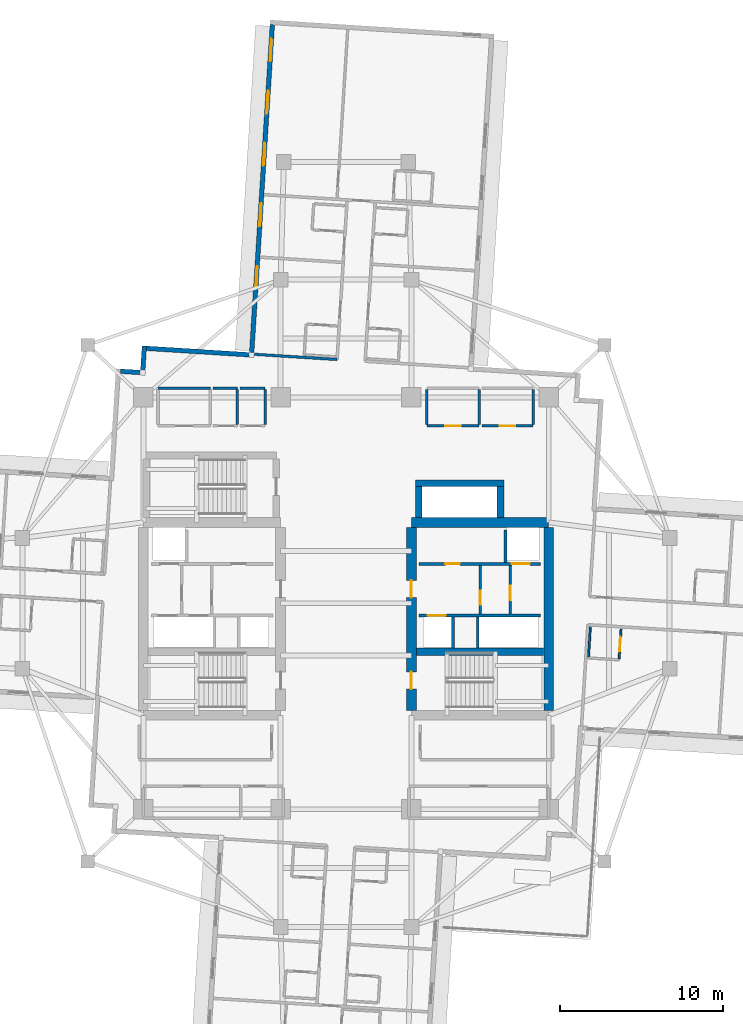
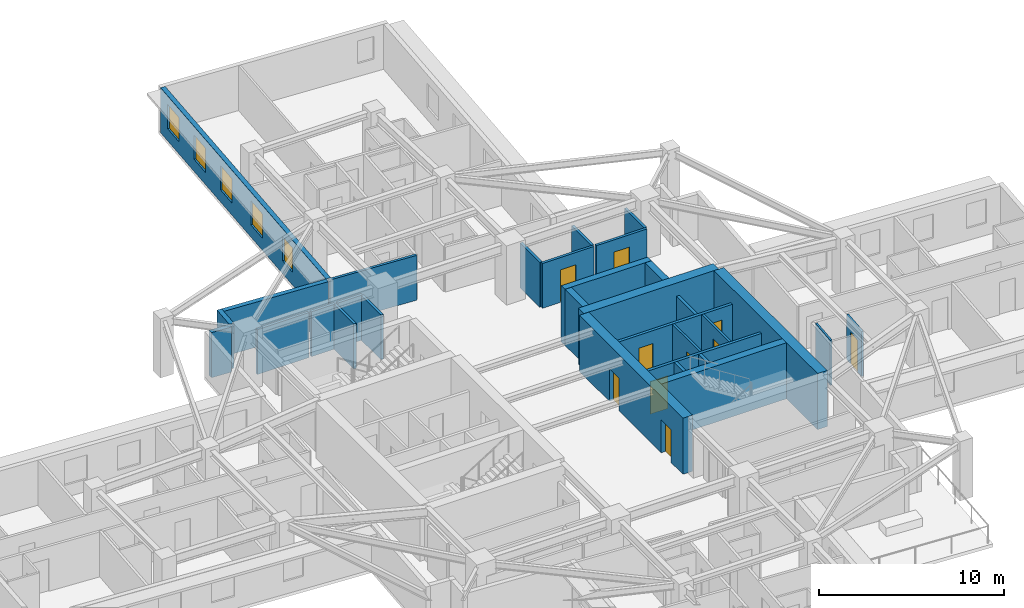
# One storey, part 7 of 14: 31 walls, 10 doors, 5 windows, 15 openings.
"""IFC4 building model written with IfcOpenShell, lengths in metres."""

from ifc_helpers import new_model, si_unit, direction, frame, frame_2d, origin, place, context, subcontext, project, spatial, rectangle, extrude, material, layer, layer_set, type_object, element, fill, save


model = new_model("IFC4")

# Units and contexts
model_context = context("Model", 3, precision=1e-05, world=origin(), true_north=direction((0.0, 1.0)))
body_context = subcontext(model_context, "Body", "Model", "MODEL_VIEW")
ifc_project = project(units=[si_unit("LENGTHUNIT", "METRE"), si_unit("AREAUNIT", "SQUARE_METRE"), si_unit("VOLUMEUNIT", "CUBIC_METRE"), si_unit("PLANEANGLEUNIT", "RADIAN"), si_unit("MASSUNIT", "GRAM", prefix="KILO")], contexts=[model_context])

# Site, building, storey
site_placement = place(None, origin())
site = spatial("IfcSite", under=ifc_project, at=site_placement, CompositionType="ELEMENT")
building_placement = place(site_placement, origin())
building = spatial("IfcBuilding", under=site, at=building_placement, Name="Qingluan Cross Belvedere", CompositionType="ELEMENT")
storey_placement = place(building_placement, frame((0.0, 0.0, 168.300048828125)))
storey = spatial("IfcBuildingStorey", under=building, at=storey_placement, Name="L42", CompositionType="ELEMENT", Elevation=168.300048828125)

# Walls
ifc_material_1 = material(Name="Concrete C50", Category="concrete")
ifc_layer_1 = layer(ifc_material_1, 0.449951171875, Name="CoreShearWall_450")
ifc_layer_set_1 = layer_set([ifc_layer_1], Name="Concrete C50")
wall_type_1 = type_object("IfcWallType", Name="CoreShearWall_450", PredefinedType="SHEAR", material=ifc_layer_set_1)
wall_1_placement = place(storey_placement, frame((4.304931640625, -2.9599609375, 0.0), z_axis=(0.0, 0.0, 1.0), x_axis=(1.0, 0.0, 0.0)))
element("IfcWall", 1, at=wall_1_placement, inside=storey, type_object=wall_type_1, Name="Split core E shear wall L42-M", PredefinedType="SHEAR", context=body_context, shape_type="SweptSolid", body=[
    extrude(rectangle(XDim=7.7900390625, YDim=0.449951171875, at=frame_2d((3.89501953125, 0.0))), origin(), (0.0, 0.0, 1.0), 3.699951171875),
])
wall_2_placement = place(storey_placement, frame((4.449951171875, 5.2548828125, 0.0), z_axis=(0.0, 0.0, 1.0), x_axis=(0.0, 1.0, 0.0)))
element("IfcWall", 2, at=wall_2_placement, inside=storey, type_object=wall_type_1, Name="Express shuttle core wall L42-W", PredefinedType="SHEAR", context=body_context, shape_type="SweptSolid", body=[
    extrude(rectangle(XDim=1.885009765625, YDim=0.39990234375, at=frame_2d((0.9423828125, 0.0))), origin(), (0.0, 0.0, 1.0), 3.699951171875),
])
wall_3_placement = place(storey_placement, frame((4.25, 7.35009765625, 0.0), z_axis=(0.0, 0.0, 1.0), x_axis=(1.0, 0.0, 0.0)))
element("IfcWall", 3, at=wall_3_placement, inside=storey, type_object=wall_type_1, Name="Express shuttle core wall L42-N", PredefinedType="SHEAR", context=body_context, shape_type="SweptSolid", body=[
    extrude(rectangle(XDim=5.39990234375, YDim=0.39990234375, at=frame_2d((2.699951171875, 0.0))), origin(), (0.0, 0.0, 1.0), 3.699951171875),
])
wall_4_placement = place(storey_placement, frame((9.449951171875, 5.2548828125, 0.0), z_axis=(0.0, 0.0, 1.0), x_axis=(0.0, 1.0, 0.0)))
element("IfcWall", 4, at=wall_4_placement, inside=storey, type_object=wall_type_1, Name="Express shuttle core wall L42-E", PredefinedType="SHEAR", context=body_context, shape_type="SweptSolid", body=[
    extrude(rectangle(XDim=1.885009765625, YDim=0.39990234375, at=frame_2d((0.9423828125, 0.0))), origin(), (0.0, 0.0, 1.0), 3.699951171875),
])
ifc_material_2 = material(Name="Concrete C60", Category="concrete")
ifc_layer_2 = layer(ifc_material_2, 0.60009765625, Name="CoreShearWall_600")
ifc_layer_set_2 = layer_set([ifc_layer_2], Name="Concrete C60")
wall_type_2 = type_object("IfcWallType", Name="CoreShearWall_600", PredefinedType="SHEAR", material=ifc_layer_set_2)
wall_5_placement = place(storey_placement, frame((4.0, 4.949951171875, 0.0), z_axis=(0.0, 0.0, 1.0), x_axis=(1.0, 0.0, 0.0)))
element("IfcWall", 5, at=wall_5_placement, inside=storey, type_object=wall_type_2, Name="Split core E shear wall L42-N", PredefinedType="SHEAR", context=body_context, shape_type="SweptSolid", body=[
    extrude(rectangle(XDim=8.39990234375, YDim=0.60009765625, at=frame_2d((4.199951171875, 0.0))), origin(), (0.0, 0.0, 1.0), 3.699951171875),
])

# Wall, openings, doors
wall_6_placement = place(storey_placement, frame((4.0, -6.544921875, 0.0), z_axis=(0.0, 0.0, 1.0), x_axis=(0.0, 1.0, 0.0)))
wall_6 = element("IfcWall", 6, at=wall_6_placement, inside=storey, type_object=wall_type_2, Name="Split core E shear wall L42-W", PredefinedType="SHEAR", context=body_context, shape_type="SweptSolid", body=[
    extrude(rectangle(XDim=11.18994140625, YDim=0.60009765625, at=frame_2d((5.594970703125, 0.0))), origin(), (0.0, 0.0, 1.0), 3.699951171875),
])
opening_1_placement = place(wall_6_placement, frame((1.294921875, 0.0, 0.0)))
opening_1 = element("IfcOpeningElement", 7, at=opening_1_placement, cuts=wall_6, Name="Opening FD-B11", PredefinedType="OPENING", context=body_context, shape_type="SweptSolid", body=[
    extrude(rectangle(XDim=1.050048828125, YDim=2.14990234375, at=frame_2d((0.52490234375, 1.074951171875))), frame((0.0, 0.31005859375, 0.0), z_axis=(0.0, -1.0, 0.0), x_axis=(1.0, 0.0, 0.0)), (0.0, 0.0, 1.0), 0.6201171875),
])
opening_2_placement = place(wall_6_placement, frame((6.89501953125, 0.0, 0.0)))
opening_2 = element("IfcOpeningElement", 8, at=opening_2_placement, cuts=wall_6, Name="Opening FD-B11", PredefinedType="OPENING", context=body_context, shape_type="SweptSolid", body=[
    extrude(rectangle(XDim=1.050048828125, YDim=2.14990234375, at=frame_2d((0.52490234375, 1.074951171875))), frame((0.0, 0.31005859375, 0.0), z_axis=(0.0, -1.0, 0.0), x_axis=(1.0, 0.0, 0.0)), (0.0, 0.0, 1.0), 0.6201171875),
])
ifc_material_3 = material(Name="Steel Class B smoke-seal fire door", Category="steel")
door_type_1 = type_object("IfcDoorType", Name="StairLobbyFireDoor_FDB", OperationType="NOTDEFINED", PredefinedType="DOOR", material=ifc_material_3)
door_1_placement = place(opening_1_placement, origin())
door_1 = element("IfcDoor", 9, at=door_1_placement, inside=storey, type_object=door_type_1, Name="Smoke-proof stair ST2 fire door L42", OperationType="SINGLE_SWING_LEFT", OverallHeight=2.14990234375, OverallWidth=1.050048828125, PredefinedType="DOOR", context=body_context, shape_type="SweptSolid", body=[
    extrude(rectangle(XDim=1.050048828125, YDim=2.14990234375, at=frame_2d((0.52490234375, 1.074951171875))), frame((0.0, 0.02490234375, 0.0), z_axis=(0.0, -1.0, 0.0), x_axis=(1.0, 0.0, 0.0)), (0.0, 0.0, 1.0), 0.050048828125),
])
fill(opening_1, door_1)
door_2_placement = place(opening_2_placement, origin())
door_2 = element("IfcDoor", 10, at=door_2_placement, inside=storey, type_object=door_type_1, Name="Firefighting lobby East fire door L42", OperationType="SINGLE_SWING_LEFT", OverallHeight=2.14990234375, OverallWidth=1.050048828125, PredefinedType="DOOR", context=body_context, shape_type="SweptSolid", body=[
    extrude(rectangle(XDim=1.050048828125, YDim=2.14990234375, at=frame_2d((0.52490234375, 1.074951171875))), frame((0.0, 0.02490234375, 0.0), z_axis=(0.0, -1.0, 0.0), x_axis=(1.0, 0.0, 0.0)), (0.0, 0.0, 1.0), 0.050048828125),
])
fill(opening_2, door_2)

# Wall
wall_7_placement = place(storey_placement, frame((12.39990234375, -6.544921875, 0.0), z_axis=(0.0, 0.0, 1.0), x_axis=(0.0, 1.0, 0.0)))
element("IfcWall", 11, at=wall_7_placement, inside=storey, type_object=wall_type_2, Name="Split core E shear wall L42-E", PredefinedType="SHEAR", context=body_context, shape_type="SweptSolid", body=[
    extrude(rectangle(XDim=11.18994140625, YDim=0.60009765625, at=frame_2d((5.594970703125, 0.0))), origin(), (0.0, 0.0, 1.0), 3.699951171875),
])

# Wall, opening, door
ifc_material_4 = material(Name="Gypsum plasterboard on steel stud acoustic partition", Category="steel")
ifc_layer_3 = layer(ifc_material_4, 0.159912109375, Name="CorridorPartition_160")
ifc_layer_set_3 = layer_set([ifc_layer_3], Name="Gypsum plasterboard on steel stud acoustic partition")
wall_type_3 = type_object("IfcWallType", Name="CorridorPartition_160", PredefinedType="PARTITIONING", material=ifc_layer_set_3)
wall_8_placement = place(storey_placement, frame((10.050048828125, -0.652099609375, 0.0), z_axis=(0.0, 0.0, 1.0), x_axis=(0.0, 1.0, 0.0)))
wall_8 = element("IfcWall", 12, at=wall_8_placement, inside=storey, type_object=wall_type_3, Name="Partition L42:ev", PredefinedType="PARTITIONING", context=body_context, shape_type="SweptSolid", body=[
    extrude(rectangle(XDim=2.962158203125, YDim=0.139892578125, at=frame_2d((1.48095703125, 0.0))), origin(), (0.0, 0.0, 1.0), 2.9599609375),
])
opening_3_placement = place(wall_8_placement, frame((0.85009765625, 0.0, 0.0)))
opening_3 = element("IfcOpeningElement", 13, at=opening_3_placement, cuts=wall_8, Name="Opening FD-B10", PredefinedType="OPENING", context=body_context, shape_type="SweptSolid", body=[
    extrude(rectangle(XDim=0.8798828125, YDim=2.10009765625, at=frame_2d((0.43994140625, 1.050048828125))), frame((0.0, 0.079833984375, 0.0), z_axis=(0.0, -1.0, 0.0), x_axis=(1.0, 0.0, 0.0)), (0.0, 0.0, 1.0), 0.159912109375),
])
ifc_material_5 = material(Name="Steel Class B service fire door", Category="steel")
door_type_2 = type_object("IfcDoorType", Name="RiserServiceFireDoor_FDB", OperationType="NOTDEFINED", PredefinedType="DOOR", material=ifc_material_5)
door_3_placement = place(opening_3_placement, origin())
door_3 = element("IfcDoor", 14, at=door_3_placement, inside=storey, type_object=door_type_2, Name="Service closet inner door L42", OperationType="SINGLE_SWING_RIGHT", OverallHeight=2.10009765625, OverallWidth=0.8798828125, PredefinedType="DOOR", context=body_context, shape_type="SweptSolid", body=[
    extrude(rectangle(XDim=0.8798828125, YDim=2.10009765625, at=frame_2d((0.43994140625, 1.050048828125))), frame((0.0, 0.02490234375, 0.0), z_axis=(0.0, -1.0, 0.0), x_axis=(1.0, 0.0, 0.0)), (0.0, 0.0, 1.0), 0.050048828125),
])
fill(opening_3, door_3)

# Walls
wall_9_placement = place(storey_placement, frame((-11.5, 13.14990234375, 0.0), z_axis=(0.0, 0.0, 1.0), x_axis=(1.0, 0.0, 0.0)))
element("IfcWall", 15, at=wall_9_placement, inside=storey, type_object=wall_type_3, Name="Partition L42:q_nw_occ:N", PredefinedType="PARTITIONING", context=body_context, shape_type="SweptSolid", body=[
    extrude(rectangle(XDim=3.199951171875, YDim=0.159912109375, at=frame_2d((1.60009765625, 0.0))), origin(), (0.0, 0.0, 1.0), 2.9599609375),
])
wall_10_placement = place(storey_placement, frame((-8.139892578125, 13.14990234375, 0.0), z_axis=(0.0, 0.0, 1.0), x_axis=(1.0, 0.0, 0.0)))
element("IfcWall", 16, at=wall_10_placement, inside=storey, type_object=wall_type_3, Name="Partition L42:hk_linen:N", PredefinedType="PARTITIONING", context=body_context, shape_type="SweptSolid", body=[
    extrude(rectangle(XDim=1.489990234375, YDim=0.159912109375, at=frame_2d((0.7451171875, 0.0))), origin(), (0.0, 0.0, 1.0), 2.9599609375),
])
wall_11_placement = place(storey_placement, frame((-6.64990234375, 10.93505859375, 0.0), z_axis=(0.0, 0.0, 1.0), x_axis=(0.0, 1.0, 0.0)))
element("IfcWall", 17, at=wall_11_placement, inside=storey, type_object=wall_type_3, Name="Partition L42:hk_linen:E", PredefinedType="PARTITIONING", context=body_context, shape_type="SweptSolid", body=[
    extrude(rectangle(XDim=2.1298828125, YDim=0.159912109375, at=frame_2d((1.06494140625, 0.0))), origin(), (0.0, 0.0, 1.0), 2.9599609375),
])
wall_12_placement = place(storey_placement, frame((-6.489990234375, 13.14990234375, 0.0), z_axis=(0.0, 0.0, 1.0), x_axis=(1.0, 0.0, 0.0)))
element("IfcWall", 18, at=wall_12_placement, inside=storey, type_object=wall_type_3, Name="Partition L42:floor_acc_wc:N", PredefinedType="PARTITIONING", context=body_context, shape_type="SweptSolid", body=[
    extrude(rectangle(XDim=1.5400390625, YDim=0.159912109375, at=frame_2d((0.77001953125, 0.0))), origin(), (0.0, 0.0, 1.0), 2.9599609375),
])
wall_13_placement = place(storey_placement, frame((-4.949951171875, 10.93505859375, 0.0), z_axis=(0.0, 0.0, 1.0), x_axis=(0.0, 1.0, 0.0)))
element("IfcWall", 19, at=wall_13_placement, inside=storey, type_object=wall_type_3, Name="Partition L42:floor_acc_wc:E", PredefinedType="PARTITIONING", context=body_context, shape_type="SweptSolid", body=[
    extrude(rectangle(XDim=2.1298828125, YDim=0.159912109375, at=frame_2d((1.06494140625, 0.0))), origin(), (0.0, 0.0, 1.0), 2.9599609375),
])

# Wall, opening, door
wall_14_placement = place(storey_placement, frame((4.949951171875, 10.85009765625, 0.0), z_axis=(0.0, 0.0, 1.0), x_axis=(1.0, 0.0, 0.0)))
wall_14 = element("IfcWall", 20, at=wall_14_placement, inside=storey, type_object=wall_type_3, Name="Partition L42:q_ne1:S", PredefinedType="PARTITIONING", context=body_context, shape_type="SweptSolid", body=[
    extrude(rectangle(XDim=3.199951171875, YDim=0.159912109375, at=frame_2d((1.60009765625, 0.0))), origin(), (0.0, 0.0, 1.0), 2.9599609375),
])
opening_4_placement = place(wall_14_placement, frame((1.1201171875, 0.0, 0.0)))
opening_4 = element("IfcOpeningElement", 21, at=opening_4_placement, cuts=wall_14, Name="Opening GD-10", PredefinedType="OPENING", context=body_context, shape_type="SweptSolid", body=[
    extrude(rectangle(XDim=0.9599609375, YDim=2.14990234375, at=frame_2d((0.47998046875, 1.074951171875))), frame((0.0, 0.08984375, 0.0), z_axis=(0.0, -1.0, 0.0), x_axis=(1.0, 0.0, 0.0)), (0.0, 0.0, 1.0), 0.179931640625),
])
ifc_material_6 = material(Name="Timber oak fire-rated acoustic guestroom door", Category="wood")
door_type_3 = type_object("IfcDoorType", Name="GuestEntryDoor_FD60", OperationType="NOTDEFINED", PredefinedType="DOOR", material=ifc_material_6)
door_4_placement = place(opening_4_placement, origin())
door_4 = element("IfcDoor", 22, at=door_4_placement, inside=storey, type_object=door_type_3, Name="Meditation wellness hall L42 door", OperationType="SINGLE_SWING_LEFT", OverallHeight=2.14990234375, OverallWidth=0.9599609375, PredefinedType="DOOR", context=body_context, shape_type="SweptSolid", body=[
    extrude(rectangle(XDim=0.9599609375, YDim=2.14990234375, at=frame_2d((0.47998046875, 1.074951171875))), frame((0.0, 0.02490234375, 0.0), z_axis=(0.0, -1.0, 0.0), x_axis=(1.0, 0.0, 0.0)), (0.0, 0.0, 1.0), 0.050048828125),
])
fill(opening_4, door_4)

# Walls
for number, where, z_axis, x_axis, name in (
    (23, (4.949951171875, 10.93505859375, 0.0), (0.0, 0.0, 1.0), (0.0, 1.0, 0.0), "Partition L42:q_ne1:W"),
    (24, (8.14990234375, 10.93505859375, 0.0), (0.0, 0.0, 1.0), (0.0, 1.0, 0.0), "Partition L42:q_ne1:E"),
):
    element("IfcWall", number, at=place(storey_placement, frame(where, z_axis=z_axis, x_axis=x_axis)), inside=storey, type_object=wall_type_3, Name=name, PredefinedType="PARTITIONING", context=body_context, shape_type="SweptSolid", body=[
        extrude(rectangle(XDim=2.1298828125, YDim=0.159912109375, at=frame_2d((1.06494140625, 0.0))), origin(), (0.0, 0.0, 1.0), 2.9599609375),
    ])

# Wall, opening, door
wall_15_placement = place(storey_placement, frame((8.31005859375, 10.85009765625, 0.0), z_axis=(0.0, 0.0, 1.0), x_axis=(1.0, 0.0, 0.0)))
wall_15 = element("IfcWall", 25, at=wall_15_placement, inside=storey, type_object=wall_type_3, Name="Partition L42:q_ne2:S", PredefinedType="PARTITIONING", context=body_context, shape_type="SweptSolid", body=[
    extrude(rectangle(XDim=3.139892578125, YDim=0.159912109375, at=frame_2d((1.56982421875, 0.0))), origin(), (0.0, 0.0, 1.0), 2.9599609375),
])
opening_5_placement = place(wall_15_placement, frame((1.090087890625, 0.0, 0.0)))
opening_5 = element("IfcOpeningElement", 26, at=opening_5_placement, cuts=wall_15, Name="Opening GD-10", PredefinedType="OPENING", context=body_context, shape_type="SweptSolid", body=[
    extrude(rectangle(XDim=0.9599609375, YDim=2.14990234375, at=frame_2d((0.47998046875, 1.074951171875))), frame((0.0, 0.08984375, 0.0), z_axis=(0.0, -1.0, 0.0), x_axis=(1.0, 0.0, 0.0)), (0.0, 0.0, 1.0), 0.179931640625),
])
door_5_placement = place(opening_5_placement, origin())
door_5 = element("IfcDoor", 27, at=door_5_placement, inside=storey, type_object=door_type_3, Name="Northeast quiet study L42 door", OperationType="SINGLE_SWING_RIGHT", OverallHeight=2.14990234375, OverallWidth=0.9599609375, PredefinedType="DOOR", context=body_context, shape_type="SweptSolid", body=[
    extrude(rectangle(XDim=0.9599609375, YDim=2.14990234375, at=frame_2d((0.47998046875, 1.074951171875))), frame((0.0, 0.02490234375, 0.0), z_axis=(0.0, -1.0, 0.0), x_axis=(1.0, 0.0, 0.0)), (0.0, 0.0, 1.0), 0.050048828125),
])
fill(opening_5, door_5)

# Walls
wall_16_placement = place(storey_placement, frame((11.449951171875, 10.93505859375, 0.0), z_axis=(0.0, 0.0, 1.0), x_axis=(0.0, 1.0, 0.0)))
element("IfcWall", 28, at=wall_16_placement, inside=storey, type_object=wall_type_3, Name="Partition L42:q_ne2:E", PredefinedType="PARTITIONING", context=body_context, shape_type="SweptSolid", body=[
    extrude(rectangle(XDim=2.1298828125, YDim=0.159912109375, at=frame_2d((1.06494140625, 0.0))), origin(), (0.0, 0.0, 1.0), 2.9599609375),
])
wall_17_placement = place(storey_placement, frame((-0.544677734375, 14.91357421875, 0.0), z_axis=(0.0, 0.0, 1.0), x_axis=(-0.998025838074, 0.062804669704, 0.0)))
element("IfcWall", 29, at=wall_17_placement, inside=storey, type_object=wall_type_3, Name="Partition L42:N:s1", PredefinedType="PARTITIONING", context=body_context, shape_type="SweptSolid", body=[
    extrude(rectangle(XDim=5.239990234375, YDim=0.159912109375, at=frame_2d((2.6201171875, 0.0))), origin(), (0.0, 0.0, 1.0), 2.9599609375),
])

# Wall, opening, door
ifc_material_7 = material(Name="Moisture-resistant gypsum board lining")
ifc_layer_4 = layer(ifc_material_7, 0.1201171875, Name="EnsuiteWetPartition_120")
ifc_layer_set_4 = layer_set([ifc_layer_4], Name="Moisture-resistant gypsum board lining")
wall_type_4 = type_object("IfcWallType", Name="EnsuiteWetPartition_120", PredefinedType="PARTITIONING", material=ifc_layer_set_4)
wall_18_placement = place(storey_placement, frame((16.709716796875, -3.39599609375, 0.0), z_axis=(0.0, 0.0, 1.0), x_axis=(0.062779145668, 0.998027443946, 0.0)))
wall_18 = element("IfcWall", 30, at=wall_18_placement, inside=storey, type_object=wall_type_4, Name="Partition L42:E:bs1_0", PredefinedType="PARTITIONING", context=body_context, shape_type="SweptSolid", body=[
    extrude(rectangle(XDim=1.820068359375, YDim=0.1201171875, at=frame_2d((0.91015625, 0.0))), origin(), (0.0, 0.0, 1.0), 2.9599609375),
])
opening_6_placement = place(wall_18_placement, frame((0.469970703125, 0.0, 0.0)))
opening_6 = element("IfcOpeningElement", 31, at=opening_6_placement, cuts=wall_18, Name="Opening BD-09", PredefinedType="OPENING", context=body_context, shape_type="SweptSolid", body=[
    extrude(rectangle(XDim=0.8798828125, YDim=2.10009765625, at=frame_2d((0.43994140625, 1.050048828125))), frame((0.0, 0.070068359375, 0.0), z_axis=(0.0, -1.0, 0.0), x_axis=(1.0, 0.0, 0.0)), (0.0, 0.0, 1.0), 0.14013671875),
])
ifc_material_8 = material(Name="Moisture-sealed timber en-suite door", Category="wood")
door_type_4 = type_object("IfcDoorType", Name="BathroomDoor_880", OperationType="NOTDEFINED", PredefinedType="DOOR", material=ifc_material_8)
door_6_placement = place(opening_6_placement, origin())
door_6 = element("IfcDoor", 32, at=door_6_placement, inside=storey, type_object=door_type_4, Name="Bathroom door 4203", OperationType="SINGLE_SWING_LEFT", OverallHeight=2.10009765625, OverallWidth=0.8798828125, PredefinedType="DOOR", context=body_context, shape_type="SweptSolid", body=[
    extrude(rectangle(XDim=0.8798828125, YDim=2.10009765625, at=frame_2d((0.43994140625, 1.050048828125))), frame((0.0, 0.02490234375, 0.0), z_axis=(0.0, -1.0, 0.0), x_axis=(1.0, 0.0, 0.0)), (0.0, 0.0, 1.0), 0.050048828125),
])
fill(opening_6, door_6)

# Wall
wall_19_placement = place(storey_placement, frame((14.83349609375, -3.27783203125, 0.0), z_axis=(0.0, 0.0, 1.0), x_axis=(0.062779145668, 0.998027443946, 0.0)))
element("IfcWall", 33, at=wall_19_placement, inside=storey, type_object=wall_type_4, Name="Partition L42:E:bw1_0", PredefinedType="PARTITIONING", context=body_context, shape_type="SweptSolid", body=[
    extrude(rectangle(XDim=1.820068359375, YDim=0.1201171875, at=frame_2d((0.91015625, 0.0))), origin(), (0.0, 0.0, 1.0), 2.9599609375),
])

# Wall, openings, windows
ifc_material_9 = material(Name="Precast concrete C45", Category="concrete")
ifc_layer_5 = layer(ifc_material_9, 0.280029296875, Name="PrecastFacadeWall_280")
ifc_layer_set_5 = layer_set([ifc_layer_5], Name="Precast concrete C45")
wall_type_5 = type_object("IfcWallType", Name="PrecastFacadeWall_280", PredefinedType="STANDARD", material=ifc_layer_set_5)
wall_20_placement = place(storey_placement, frame((-4.506591796875, 35.392822265625, 0.0), z_axis=(0.0, 0.0, 1.0), x_axis=(-0.062784355807, -0.998027116198, 0.0)))
wall_20 = element("IfcWall", 34, at=wall_20_placement, inside=storey, type_object=wall_type_5, Name="Facade wall L42-NB", PredefinedType="STANDARD", context=body_context, shape_type="SweptSolid", body=[
    extrude(rectangle(XDim=20.099853515625, YDim=0.280029296875, at=frame_2d((10.0498046875, 0.0))), origin(), (0.0, 0.0, 1.0), 2.969970703125),
])
opening_7_placement = place(wall_20_placement, frame((0.85009765625, 0.0, 0.800048828125)))
opening_7 = element("IfcOpeningElement", 35, at=opening_7_placement, cuts=wall_20, Name="Opening W-01", PredefinedType="OPENING", context=body_context, shape_type="SweptSolid", body=[
    extrude(rectangle(XDim=1.39990234375, YDim=1.60009765625, at=frame_2d((0.699951171875, 0.800048828125))), frame((0.0, 0.14990234375, 0.0), z_axis=(0.0, -1.0, 0.0), x_axis=(1.0, 0.0, 0.0)), (0.0, 0.0, 1.0), 0.300048828125),
])
opening_8_placement = place(wall_20_placement, frame((4.050048828125, 0.0, 0.800048828125)))
opening_8 = element("IfcOpeningElement", 36, at=opening_8_placement, cuts=wall_20, Name="Opening W-01", PredefinedType="OPENING", context=body_context, shape_type="SweptSolid", body=[
    extrude(rectangle(XDim=1.39990234375, YDim=1.60009765625, at=frame_2d((0.699951171875, 0.800048828125))), frame((0.0, 0.14990234375, 0.0), z_axis=(0.0, -1.0, 0.0), x_axis=(1.0, 0.0, 0.0)), (0.0, 0.0, 1.0), 0.300048828125),
])
opening_9_placement = place(wall_20_placement, frame((7.25, 0.0, 0.800048828125)))
opening_9 = element("IfcOpeningElement", 37, at=opening_9_placement, cuts=wall_20, Name="Opening W-01", PredefinedType="OPENING", context=body_context, shape_type="SweptSolid", body=[
    extrude(rectangle(XDim=1.39990234375, YDim=1.60009765625, at=frame_2d((0.699951171875, 0.800048828125))), frame((0.0, 0.14990234375, 0.0), z_axis=(0.0, -1.0, 0.0), x_axis=(1.0, 0.0, 0.0)), (0.0, 0.0, 1.0), 0.300048828125),
])
opening_10_placement = place(wall_20_placement, frame((10.949951171875, 0.0, 0.800048828125)))
opening_10 = element("IfcOpeningElement", 38, at=opening_10_placement, cuts=wall_20, Name="Opening W-01", PredefinedType="OPENING", context=body_context, shape_type="SweptSolid", body=[
    extrude(rectangle(XDim=1.39990234375, YDim=1.60009765625, at=frame_2d((0.699951171875, 0.800048828125))), frame((0.0, 0.14990234375, 0.0), z_axis=(0.0, -1.0, 0.0), x_axis=(1.0, 0.0, 0.0)), (0.0, 0.0, 1.0), 0.300048828125),
])
opening_11_placement = place(wall_20_placement, frame((14.799072265625, 0.0, 0.85009765625)))
opening_11 = element("IfcOpeningElement", 39, at=opening_11_placement, cuts=wall_20, Name="Opening W-02", PredefinedType="OPENING", context=body_context, shape_type="SweptSolid", body=[
    extrude(rectangle(XDim=1.199951171875, YDim=1.60009765625, at=frame_2d((0.60009765625, 0.800048828125))), frame((0.0, 0.14990234375, 0.0), z_axis=(0.0, -1.0, 0.0), x_axis=(1.0, 0.0, 0.0)), (0.0, 0.0, 1.0), 0.300048828125),
])
ifc_material_10 = material(Name="Thermally broken triple Low-E glass in aluminium frame", Category="aluminium")
window_type_1 = type_object("IfcWindowType", Name="TriRibbonWin_1200x1600", PartitioningType="SINGLE_PANEL", PredefinedType="WINDOW", material=ifc_material_10)
window_1_placement = place(opening_11_placement, origin())
window_1 = element("IfcWindow", 40, at=window_1_placement, inside=storey, type_object=window_type_1, Name="Corner hotel suite 4213 daylight window", OverallHeight=1.60009765625, OverallWidth=1.199951171875, PartitioningType="SINGLE_PANEL", PredefinedType="WINDOW", context=body_context, shape_type="SweptSolid", body=[
    extrude(rectangle(XDim=1.199951171875, YDim=1.60009765625, at=frame_2d((0.60009765625, 0.800048828125))), frame((0.0, 0.030029296875, 0.0), z_axis=(0.0, -1.0, 0.0), x_axis=(1.0, 0.0, 0.0)), (0.0, 0.0, 1.0), 0.06005859375),
])
fill(opening_11, window_1)
ifc_material_11 = material(Name="Thermally broken triple Low-E glass in aluminium frame", Category="aluminium")
window_type_2 = type_object("IfcWindowType", Name="TriRibbonWin_1400x1600", PartitioningType="SINGLE_PANEL", PredefinedType="WINDOW", material=ifc_material_11)
window_2_placement = place(opening_7_placement, origin())
window_2 = element("IfcWindow", 41, at=window_2_placement, inside=storey, type_object=window_type_2, Name="Ribbon window L42-NB-1", OverallHeight=1.60009765625, OverallWidth=1.39990234375, PartitioningType="SINGLE_PANEL", PredefinedType="WINDOW", context=body_context, shape_type="SweptSolid", body=[
    extrude(rectangle(XDim=1.39990234375, YDim=1.60009765625, at=frame_2d((0.699951171875, 0.800048828125))), frame((0.0, 0.030029296875, 0.0), z_axis=(0.0, -1.0, 0.0), x_axis=(1.0, 0.0, 0.0)), (0.0, 0.0, 1.0), 0.06005859375),
])
fill(opening_7, window_2)
window_3_placement = place(opening_8_placement, origin())
window_3 = element("IfcWindow", 42, at=window_3_placement, inside=storey, type_object=window_type_2, Name="Ribbon window L42-NB-2", OverallHeight=1.60009765625, OverallWidth=1.39990234375, PartitioningType="SINGLE_PANEL", PredefinedType="WINDOW", context=body_context, shape_type="SweptSolid", body=[
    extrude(rectangle(XDim=1.39990234375, YDim=1.60009765625, at=frame_2d((0.699951171875, 0.800048828125))), frame((0.0, 0.030029296875, 0.0), z_axis=(0.0, -1.0, 0.0), x_axis=(1.0, 0.0, 0.0)), (0.0, 0.0, 1.0), 0.06005859375),
])
fill(opening_8, window_3)
window_4_placement = place(opening_9_placement, origin())
window_4 = element("IfcWindow", 43, at=window_4_placement, inside=storey, type_object=window_type_2, Name="Ribbon window L42-NB-3", OverallHeight=1.60009765625, OverallWidth=1.39990234375, PartitioningType="SINGLE_PANEL", PredefinedType="WINDOW", context=body_context, shape_type="SweptSolid", body=[
    extrude(rectangle(XDim=1.39990234375, YDim=1.60009765625, at=frame_2d((0.699951171875, 0.800048828125))), frame((0.0, 0.030029296875, 0.0), z_axis=(0.0, -1.0, 0.0), x_axis=(1.0, 0.0, 0.0)), (0.0, 0.0, 1.0), 0.06005859375),
])
fill(opening_9, window_4)
window_5_placement = place(opening_10_placement, origin())
window_5 = element("IfcWindow", 44, at=window_5_placement, inside=storey, type_object=window_type_2, Name="Ribbon window L42-NB-4", OverallHeight=1.60009765625, OverallWidth=1.39990234375, PartitioningType="SINGLE_PANEL", PredefinedType="WINDOW", context=body_context, shape_type="SweptSolid", body=[
    extrude(rectangle(XDim=1.39990234375, YDim=1.60009765625, at=frame_2d((0.699951171875, 0.800048828125))), frame((0.0, 0.030029296875, 0.0), z_axis=(0.0, -1.0, 0.0), x_axis=(1.0, 0.0, 0.0)), (0.0, 0.0, 1.0), 0.06005859375),
])
fill(opening_10, window_5)

# Walls
wall_21_placement = place(storey_placement, frame((-13.7958984375, 14.1943359375, 0.0), z_axis=(0.0, 0.0, 1.0), x_axis=(0.998023660242, -0.06283926796, 0.0)))
element("IfcWall", 45, at=wall_21_placement, inside=storey, type_object=wall_type_5, Name="Corner wall L42-NW2", PredefinedType="STANDARD", context=body_context, shape_type="SweptSolid", body=[
    extrude(rectangle(XDim=1.219970703125, YDim=0.280029296875, at=frame_2d((0.60986328125, 0.0))), origin(), (0.0, 0.0, 1.0), 2.969970703125),
])
wall_22_placement = place(storey_placement, frame((-12.429931640625, 14.24853515625, 0.0), z_axis=(0.0, 0.0, 1.0), x_axis=(0.062824119533, 0.998024613927, 0.0)))
element("IfcWall", 46, at=wall_22_placement, inside=storey, type_object=wall_type_5, Name="Corner wall L42-NW3", PredefinedType="STANDARD", context=body_context, shape_type="SweptSolid", body=[
    extrude(rectangle(XDim=1.5, YDim=0.280029296875, at=frame_2d((0.75, 0.0))), origin(), (0.0, 0.0, 1.0), 2.969970703125),
])
wall_23_placement = place(storey_placement, frame((-12.20458984375, 15.59716796875, 0.0), z_axis=(0.0, 0.0, 1.0), x_axis=(0.998024885752, -0.062819801181, 0.0)))
element("IfcWall", 47, at=wall_23_placement, inside=storey, type_object=wall_type_5, Name="Corner wall L42-NW4", PredefinedType="STANDARD", context=body_context, shape_type="SweptSolid", body=[
    extrude(rectangle(XDim=6.2998046875, YDim=0.280029296875, at=frame_2d((3.14990234375, 0.0))), origin(), (0.0, 0.0, 1.0), 2.969970703125),
])

# Wall, openings, doors
ifc_material_12 = material(Name="Concrete C40", Category="concrete")
ifc_layer_6 = layer(ifc_material_12, 0.219970703125, Name="ShaftEnclosureWall_250")
ifc_layer_set_6 = layer_set([ifc_layer_6], Name="Concrete C40")
wall_type_6 = type_object("IfcWallType", Name="ShaftEnclosureWall_250", PredefinedType="SOLIDWALL", material=ifc_layer_set_6)
wall_24_placement = place(storey_placement, frame((4.47998046875, 2.409912109375, 0.0), z_axis=(0.0, 0.0, 1.0), x_axis=(1.0, 0.0, 0.0)))
wall_24 = element("IfcWall", 48, at=wall_24_placement, inside=storey, type_object=wall_type_6, Name="Core-E north hoistway wall L42", PredefinedType="SOLIDWALL", context=body_context, shape_type="SweptSolid", body=[
    extrude(rectangle(XDim=7.419921875, YDim=0.179931640625, at=frame_2d((3.7099609375, 0.0))), origin(), (0.0, 0.0, 1.0), 2.9599609375),
])
opening_12_placement = place(wall_24_placement, frame((5.669921875, 0.0, 0.0)))
opening_12 = element("IfcOpeningElement", 49, at=opening_12_placement, cuts=wall_24, Name="Opening LD-11", PredefinedType="OPENING", context=body_context, shape_type="SweptSolid", body=[
    extrude(rectangle(XDim=1.10009765625, YDim=2.14990234375, at=frame_2d((0.550048828125, 1.074951171875))), frame((0.0, 0.099853515625, 0.0), z_axis=(0.0, -1.0, 0.0), x_axis=(1.0, 0.0, 0.0)), (0.0, 0.0, 1.0), 0.199951171875),
])
opening_13_placement = place(wall_24_placement, frame((1.60009765625, 0.0, 0.0)))
opening_13 = element("IfcOpeningElement", 50, at=opening_13_placement, cuts=wall_24, Name="Opening FD-B10", PredefinedType="OPENING", context=body_context, shape_type="SweptSolid", body=[
    extrude(rectangle(XDim=0.8798828125, YDim=2.10009765625, at=frame_2d((0.43994140625, 1.050048828125))), frame((0.0, 0.099853515625, 0.0), z_axis=(0.0, -1.0, 0.0), x_axis=(1.0, 0.0, 0.0)), (0.0, 0.0, 1.0), 0.199951171875),
])
ifc_material_13 = material(Name="Brushed stainless steel centre-opening lift landing door", Category="steel")
door_type_5 = type_object("IfcDoorType", Name="LiftLandingSlidingDoor_1100", OperationType="DOUBLE_DOOR_SLIDING", PredefinedType="DOOR", material=ifc_material_13)
door_7_placement = place(opening_12_placement, origin())
door_7 = element("IfcDoor", 51, at=door_7_placement, inside=storey, type_object=door_type_5, Name="Lift landing sliding door FL2 L42", OperationType="DOUBLE_DOOR_SLIDING", OverallHeight=2.14990234375, OverallWidth=1.10009765625, PredefinedType="DOOR", context=body_context, shape_type="SweptSolid", body=[
    extrude(rectangle(XDim=1.10009765625, YDim=2.14990234375, at=frame_2d((0.550048828125, 1.074951171875))), frame((0.0, 0.02490234375, 0.0), z_axis=(0.0, -1.0, 0.0), x_axis=(1.0, 0.0, 0.0)), (0.0, 0.0, 1.0), 0.050048828125),
])
fill(opening_12, door_7)
door_8_placement = place(opening_13_placement, origin())
door_8 = element("IfcDoor", 52, at=door_8_placement, inside=storey, type_object=door_type_2, Name="Pantry room door E L42", OperationType="SINGLE_SWING_RIGHT", OverallHeight=2.10009765625, OverallWidth=0.8798828125, PredefinedType="DOOR", context=body_context, shape_type="SweptSolid", body=[
    extrude(rectangle(XDim=0.8798828125, YDim=2.10009765625, at=frame_2d((0.43994140625, 1.050048828125))), frame((0.0, 0.02490234375, 0.0), z_axis=(0.0, -1.0, 0.0), x_axis=(1.0, 0.0, 0.0)), (0.0, 0.0, 1.0), 0.050048828125),
])
fill(opening_13, door_8)

# Wall, opening, door
wall_25_placement = place(storey_placement, frame((4.47998046875, -0.75, 0.0), z_axis=(0.0, 0.0, 1.0), x_axis=(1.0, 0.0, 0.0)))
wall_25 = element("IfcWall", 53, at=wall_25_placement, inside=storey, type_object=wall_type_6, Name="Core-E mid hoistway wall L42", PredefinedType="SOLIDWALL", context=body_context, shape_type="SweptSolid", body=[
    extrude(rectangle(XDim=7.419921875, YDim=0.179931640625, at=frame_2d((3.7099609375, 0.0))), origin(), (0.0, 0.0, 1.0), 2.9599609375),
])
opening_14_placement = place(wall_25_placement, frame((0.52001953125, 0.0, 0.0)))
opening_14 = element("IfcOpeningElement", 54, at=opening_14_placement, cuts=wall_25, Name="Opening LD-11", PredefinedType="OPENING", context=body_context, shape_type="SweptSolid", body=[
    extrude(rectangle(XDim=1.10009765625, YDim=2.14990234375, at=frame_2d((0.550048828125, 1.074951171875))), frame((0.0, 0.099853515625, 0.0), z_axis=(0.0, -1.0, 0.0), x_axis=(1.0, 0.0, 0.0)), (0.0, 0.0, 1.0), 0.199951171875),
])
door_9_placement = place(opening_14_placement, origin())
door_9 = element("IfcDoor", 55, at=door_9_placement, inside=storey, type_object=door_type_5, Name="Lift landing sliding door LP7 L42", OperationType="DOUBLE_DOOR_SLIDING", OverallHeight=2.14990234375, OverallWidth=1.10009765625, PredefinedType="DOOR", context=body_context, shape_type="SweptSolid", body=[
    extrude(rectangle(XDim=1.10009765625, YDim=2.14990234375, at=frame_2d((0.550048828125, 1.074951171875))), frame((0.0, 0.02490234375, 0.0), z_axis=(0.0, -1.0, 0.0), x_axis=(1.0, 0.0, 0.0)), (0.0, 0.0, 1.0), 0.050048828125),
])
fill(opening_14, door_9)

# Walls
wall_26_placement = place(storey_placement, frame((9.760009765625, 2.5, 0.0), z_axis=(0.0, 0.0, 1.0), x_axis=(0.0, 1.0, 0.0)))
element("IfcWall", 56, at=wall_26_placement, inside=storey, type_object=wall_type_6, Name="Hoistway enclosure divider FL2W L42", PredefinedType="SOLIDWALL", context=body_context, shape_type="SweptSolid", body=[
    extrude(rectangle(XDim=1.989990234375, YDim=0.179931640625, at=frame_2d((0.9951171875, 0.0))), origin(), (0.0, 0.0, 1.0), 2.9599609375),
])
for number, where, z_axis, x_axis, name in (
    (57, (6.5400390625, -2.72998046875, 0.0), (0.0, 0.0, 1.0), (0.0, 1.0, 0.0), "Hoistway enclosure divider LP7E L42"),
    (58, (8.06005859375, -2.72998046875, 0.0), (0.0, 0.0, 1.0), (0.0, 1.0, 0.0), "Hoistway enclosure divider LP9W L42"),
):
    element("IfcWall", number, at=place(storey_placement, frame(where, z_axis=z_axis, x_axis=x_axis)), inside=storey, type_object=wall_type_6, Name=name, PredefinedType="SOLIDWALL", context=body_context, shape_type="SweptSolid", body=[
        extrude(rectangle(XDim=1.889892578125, YDim=0.179931640625, at=frame_2d((0.94482421875, 0.0))), origin(), (0.0, 0.0, 1.0), 2.9599609375),
    ])

# Wall, opening, door
wall_27_placement = place(storey_placement, frame((8.219970703125, -0.64990234375, 0.0), z_axis=(0.0, 0.0, 1.0), x_axis=(0.0, 1.0, 0.0)))
wall_27 = element("IfcWall", 59, at=wall_27_placement, inside=storey, type_object=wall_type_6, Name="Core-E service corridor wall L42", PredefinedType="SOLIDWALL", context=body_context, shape_type="SweptSolid", body=[
    extrude(rectangle(XDim=2.9599609375, YDim=0.139892578125, at=frame_2d((1.47998046875, 0.0))), origin(), (0.0, 0.0, 1.0), 2.9599609375),
])
opening_15_placement = place(wall_27_placement, frame((0.550048828125, 0.0, 0.0)))
opening_15 = element("IfcOpeningElement", 60, at=opening_15_placement, cuts=wall_27, Name="Opening FD-B10", PredefinedType="OPENING", context=body_context, shape_type="SweptSolid", body=[
    extrude(rectangle(XDim=0.8798828125, YDim=2.10009765625, at=frame_2d((0.43994140625, 1.050048828125))), frame((0.0, 0.079833984375, 0.0), z_axis=(0.0, -1.0, 0.0), x_axis=(1.0, 0.0, 0.0)), (0.0, 0.0, 1.0), 0.159912109375),
])
door_10_placement = place(opening_15_placement, origin())
door_10 = element("IfcDoor", 61, at=door_10_placement, inside=storey, type_object=door_type_2, Name="Core-E service room door L42", OperationType="SINGLE_SWING_RIGHT", OverallHeight=2.10009765625, OverallWidth=0.8798828125, PredefinedType="DOOR", context=body_context, shape_type="SweptSolid", body=[
    extrude(rectangle(XDim=0.8798828125, YDim=2.10009765625, at=frame_2d((0.43994140625, 1.050048828125))), frame((0.0, 0.02490234375, 0.0), z_axis=(0.0, -1.0, 0.0), x_axis=(1.0, 0.0, 0.0)), (0.0, 0.0, 1.0), 0.050048828125),
])
fill(opening_15, door_10)

save(model, "model.ifc")
